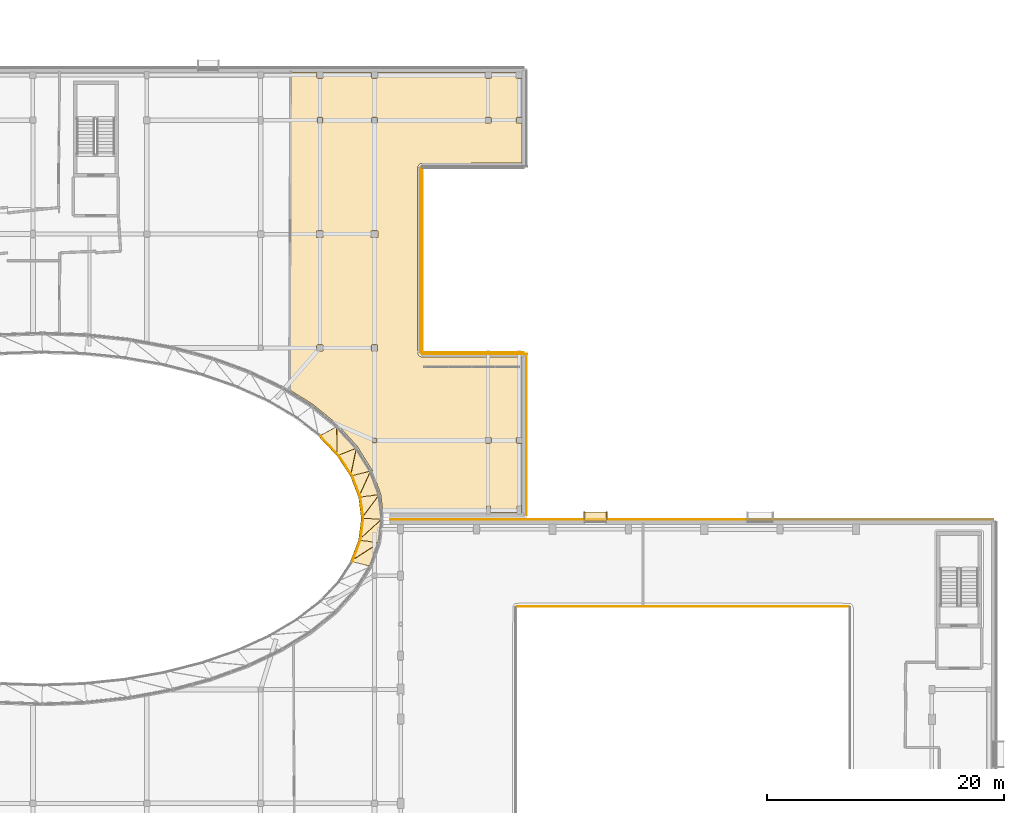
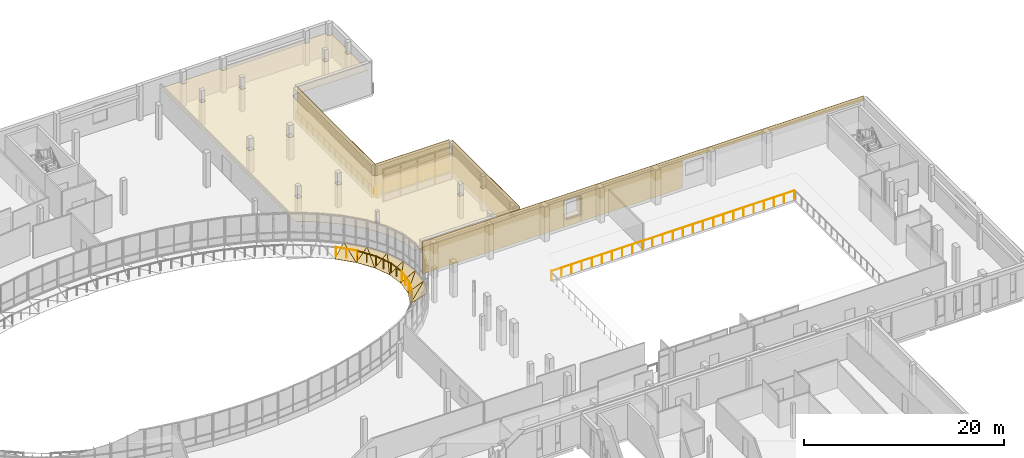
# One storey, part 79 of 84: 24 coverings, 9 railings.
"""IFC4 building model written with IfcOpenShell, lengths in metres."""

from ifc_helpers import new_model, si_unit, direction, frame, origin, origin_2d, place, context, subcontext, project, spatial, polyline, rectangle, circle, outline, extrude, material, layer, layer_set, type_object, element, save


model = new_model("IFC4")

# Units and contexts
model_context = context("Model", 3, precision=1e-05, world=origin(), true_north=direction((0.0, 1.0)))
body_context = subcontext(model_context, "Body", "Model", "MODEL_VIEW")
ifc_project = project(units=[si_unit("LENGTHUNIT", "METRE"), si_unit("AREAUNIT", "SQUARE_METRE"), si_unit("VOLUMEUNIT", "CUBIC_METRE"), si_unit("PLANEANGLEUNIT", "RADIAN"), si_unit("MASSUNIT", "GRAM", prefix="KILO")], contexts=[model_context])

# Site, building, storey
site_placement = place(None, origin())
site = spatial("IfcSite", under=ifc_project, at=site_placement, CompositionType="ELEMENT")
building_placement = place(site_placement, origin())
building = spatial("IfcBuilding", under=site, at=building_placement, Name="Mzevani Central Library", CompositionType="ELEMENT")
storey_placement = place(building_placement, frame((0.0, 0.0, 5.39990234375)))
storey = spatial("IfcBuildingStorey", under=building, at=storey_placement, Name="L01", CompositionType="ELEMENT", Elevation=5.39990234375)

# Railings
ifc_material_1 = material(Name="Brushed stainless steel rail", Category="steel")
railing_type_1 = type_object("IfcRailingType", Name="Interior Gallery and Stair Guard 1100", PredefinedType="BALUSTRADE", material=ifc_material_1)
railing_1_placement = place(storey_placement, frame((124.0, 68.60009765625, 0.0)))
element("IfcRailing", 1, at=railing_1_placement, inside=storey, type_object=railing_type_1, Name="L01 V1 Double-Height Void Guard 3", PredefinedType="BALUSTRADE", context=body_context, shape_type="SweptSolid", body=[
    extrude(circle(Radius=0.02392578125, at=origin_2d()), frame((0.0, 0.0, 1.076171875), z_axis=(1.0, 0.0, 0.0), x_axis=(0.0, 1.0, 0.0)), (0.0, 0.0, 1.0), 28.0),
    extrude(circle(Radius=0.02099609375, at=origin_2d()), origin(), (0.0, 0.0, 1.0), 1.052001953125),
    extrude(circle(Radius=0.02099609375, at=origin_2d()), frame((1.166748046875, 0.0, 0.0)), (0.0, 0.0, 1.0), 1.052001953125),
    extrude(circle(Radius=0.02099609375, at=origin_2d()), frame((2.333251953125, 0.0, 0.0)), (0.0, 0.0, 1.0), 1.052001953125),
    extrude(circle(Radius=0.02099609375, at=origin_2d()), frame((3.5, 0.0, 0.0)), (0.0, 0.0, 1.0), 1.052001953125),
    extrude(circle(Radius=0.02099609375, at=origin_2d()), frame((4.666748046875, 0.0, 0.0)), (0.0, 0.0, 1.0), 1.052001953125),
    extrude(circle(Radius=0.02099609375, at=origin_2d()), frame((5.833251953125, 0.0, 0.0)), (0.0, 0.0, 1.0), 1.052001953125),
    extrude(circle(Radius=0.02099609375, at=origin_2d()), frame((7.0, 0.0, 0.0)), (0.0, 0.0, 1.0), 1.052001953125),
    extrude(circle(Radius=0.02099609375, at=origin_2d()), frame((8.166748046875, 0.0, 0.0)), (0.0, 0.0, 1.0), 1.052001953125),
    extrude(circle(Radius=0.02099609375, at=origin_2d()), frame((9.333251953125, 0.0, 0.0)), (0.0, 0.0, 1.0), 1.052001953125),
    extrude(circle(Radius=0.02099609375, at=origin_2d()), frame((10.5, 0.0, 0.0)), (0.0, 0.0, 1.0), 1.052001953125),
    extrude(circle(Radius=0.02099609375, at=origin_2d()), frame((11.666748046875, 0.0, 0.0)), (0.0, 0.0, 1.0), 1.052001953125),
    extrude(circle(Radius=0.02099609375, at=origin_2d()), frame((12.833251953125, 0.0, 0.0)), (0.0, 0.0, 1.0), 1.052001953125),
    extrude(circle(Radius=0.02099609375, at=origin_2d()), frame((14.0, 0.0, 0.0)), (0.0, 0.0, 1.0), 1.052001953125),
    extrude(circle(Radius=0.02099609375, at=origin_2d()), frame((15.166748046875, 0.0, 0.0)), (0.0, 0.0, 1.0), 1.052001953125),
    extrude(circle(Radius=0.02099609375, at=origin_2d()), frame((16.333251953125, 0.0, 0.0)), (0.0, 0.0, 1.0), 1.052001953125),
    extrude(circle(Radius=0.02099609375, at=origin_2d()), frame((17.5, 0.0, 0.0)), (0.0, 0.0, 1.0), 1.052001953125),
    extrude(circle(Radius=0.02099609375, at=origin_2d()), frame((18.666748046875, 0.0, 0.0)), (0.0, 0.0, 1.0), 1.052001953125),
    extrude(circle(Radius=0.02099609375, at=origin_2d()), frame((19.833251953125, 0.0, 0.0)), (0.0, 0.0, 1.0), 1.052001953125),
    extrude(circle(Radius=0.02099609375, at=origin_2d()), frame((21.0, 0.0, 0.0)), (0.0, 0.0, 1.0), 1.052001953125),
    extrude(circle(Radius=0.02099609375, at=origin_2d()), frame((22.166748046875, 0.0, 0.0)), (0.0, 0.0, 1.0), 1.052001953125),
    extrude(circle(Radius=0.02099609375, at=origin_2d()), frame((23.333251953125, 0.0, 0.0)), (0.0, 0.0, 1.0), 1.052001953125),
    extrude(circle(Radius=0.02099609375, at=origin_2d()), frame((24.5, 0.0, 0.0)), (0.0, 0.0, 1.0), 1.052001953125),
    extrude(circle(Radius=0.02099609375, at=origin_2d()), frame((25.666748046875, 0.0, 0.0)), (0.0, 0.0, 1.0), 1.052001953125),
    extrude(circle(Radius=0.02099609375, at=origin_2d()), frame((26.833251953125, 0.0, 0.0)), (0.0, 0.0, 1.0), 1.052001953125),
    extrude(circle(Radius=0.02099609375, at=origin_2d()), frame((28.0, 0.0, 0.0)), (0.0, 0.0, 1.0), 1.052001953125),
])
railing_2_placement = place(storey_placement, frame((124.85009765625, 89.89990234375, 0.0)))
element("IfcRailing", 2, at=railing_2_placement, inside=storey, type_object=railing_type_1, Name="L01 V3 Double-Height Void Guard 9", PredefinedType="BALUSTRADE", context=body_context, shape_type="SweptSolid", body=[
    extrude(circle(Radius=0.02392578125, at=origin_2d()), frame((0.0, 0.0, 1.076171875), z_axis=(-1.0, 0.0, 0.0), x_axis=(0.0, -1.0, 0.0)), (0.0, 0.0, 1.0), 8.85009765625),
    extrude(circle(Radius=0.02099609375, at=origin_2d()), origin(), (0.0, 0.0, 1.0), 1.052001953125),
    extrude(circle(Radius=0.02099609375, at=origin_2d()), frame((-1.106201171875, 0.0, 0.0)), (0.0, 0.0, 1.0), 1.052001953125),
    extrude(circle(Radius=0.02099609375, at=origin_2d()), frame((-2.21240234375, 0.0, 0.0)), (0.0, 0.0, 1.0), 1.052001953125),
    extrude(circle(Radius=0.02099609375, at=origin_2d()), frame((-3.31884765625, 0.0, 0.0)), (0.0, 0.0, 1.0), 1.052001953125),
    extrude(circle(Radius=0.02099609375, at=origin_2d()), frame((-4.425048828125, 0.0, 0.0)), (0.0, 0.0, 1.0), 1.052001953125),
    extrude(circle(Radius=0.02099609375, at=origin_2d()), frame((-5.53125, 0.0, 0.0)), (0.0, 0.0, 1.0), 1.052001953125),
    extrude(circle(Radius=0.02099609375, at=origin_2d()), frame((-6.6376953125, 0.0, 0.0)), (0.0, 0.0, 1.0), 1.052001953125),
    extrude(circle(Radius=0.02099609375, at=origin_2d()), frame((-7.743896484375, 0.0, 0.0)), (0.0, 0.0, 1.0), 1.052001953125),
    extrude(circle(Radius=0.02099609375, at=origin_2d()), frame((-8.85009765625, 0.0, 0.0)), (0.0, 0.0, 1.0), 1.052001953125),
])
railing_3_placement = place(storey_placement, frame((115.89990234375, 90.0, 0.0)))
element("IfcRailing", 3, at=railing_3_placement, inside=storey, type_object=railing_type_1, Name="L01 V3 Double-Height Void Guard 10", PredefinedType="BALUSTRADE", context=body_context, shape_type="SweptSolid", body=[
    extrude(circle(Radius=0.02392578125, at=origin_2d()), frame((0.0, 0.0, 1.076171875), z_axis=(0.0, 1.0, 0.0), x_axis=(-1.0, 0.0, 0.0)), (0.0, 0.0, 1.0), 15.60009765625),
    extrude(circle(Radius=0.02099609375, at=origin_2d()), origin(), (0.0, 0.0, 1.0), 1.052001953125),
    extrude(circle(Radius=0.02099609375, at=origin_2d()), frame((0.0, 1.1142578125, 0.0)), (0.0, 0.0, 1.0), 1.052001953125),
    extrude(circle(Radius=0.02099609375, at=origin_2d()), frame((0.0, 2.228515625, 0.0)), (0.0, 0.0, 1.0), 1.052001953125),
    extrude(circle(Radius=0.02099609375, at=origin_2d()), frame((0.0, 3.3427734375, 0.0)), (0.0, 0.0, 1.0), 1.052001953125),
    extrude(circle(Radius=0.02099609375, at=origin_2d()), frame((0.0, 4.457275390625, 0.0)), (0.0, 0.0, 1.0), 1.052001953125),
    extrude(circle(Radius=0.02099609375, at=origin_2d()), frame((0.0, 5.571533203125, 0.0)), (0.0, 0.0, 1.0), 1.052001953125),
    extrude(circle(Radius=0.02099609375, at=origin_2d()), frame((0.0, 6.685791015625, 0.0)), (0.0, 0.0, 1.0), 1.052001953125),
    extrude(circle(Radius=0.02099609375, at=origin_2d()), frame((0.0, 7.800048828125, 0.0)), (0.0, 0.0, 1.0), 1.052001953125),
    extrude(circle(Radius=0.02099609375, at=origin_2d()), frame((0.0, 8.914306640625, 0.0)), (0.0, 0.0, 1.0), 1.052001953125),
    extrude(circle(Radius=0.02099609375, at=origin_2d()), frame((0.0, 10.028564453125, 0.0)), (0.0, 0.0, 1.0), 1.052001953125),
    extrude(circle(Radius=0.02099609375, at=origin_2d()), frame((0.0, 11.142822265625, 0.0)), (0.0, 0.0, 1.0), 1.052001953125),
    extrude(circle(Radius=0.02099609375, at=origin_2d()), frame((0.0, 12.25732421875, 0.0)), (0.0, 0.0, 1.0), 1.052001953125),
    extrude(circle(Radius=0.02099609375, at=origin_2d()), frame((0.0, 13.37158203125, 0.0)), (0.0, 0.0, 1.0), 1.052001953125),
    extrude(circle(Radius=0.02099609375, at=origin_2d()), frame((0.0, 14.48583984375, 0.0)), (0.0, 0.0, 1.0), 1.052001953125),
    extrude(circle(Radius=0.02099609375, at=origin_2d()), frame((0.0, 15.60009765625, 0.0)), (0.0, 0.0, 1.0), 1.052001953125),
])

# Coverings
ifc_material_2 = material(Name="Limestone ashlar cladding", Category="masonry")
ifc_layer_1 = layer(ifc_material_2, 0.050048828125, Name="Limestone Ashlar Spandrel Cladding")
ifc_layer_set_1 = layer_set([ifc_layer_1], Name="Limestone ashlar cladding")
covering_type_1 = type_object("IfcCoveringType", Name="Limestone Ashlar Spandrel Cladding", PredefinedType="CLADDING", material=ifc_layer_set_1)
covering_1_placement = place(storey_placement, frame((110.8798828125, 76.002685546875, -0.27978515625), z_axis=(-0.479321366855, -0.060945533308, 0.875520798866), x_axis=(-0.126134108825, 0.992013198799, 0.0)))
element("IfcCovering", 4, at=covering_1_placement, inside=storey, type_object=covering_type_1, Name="L01 Curved Court Spandrel Apron 1A", PredefinedType="CLADDING", context=body_context, shape_type="SweptSolid", body=[
    extrude(outline(polyline([(0.0, 0.0), (1.8174944827430237, 2.7755575615628914e-17), (1.8114215462804029, -1.9867545788335905), (0.0, 0.0)])), origin(), (0.0, 0.0, -1.0), 0.06005859375),
])
covering_2_placement = place(storey_placement, frame((110.8798828125, 76.002685546875, -0.27978515625), z_axis=(-0.482126035022, -0.058217888938, 0.87416540984), x_axis=(0.556826447425, 0.749972216125, 0.357051792445)))
element("IfcCovering", 5, at=covering_2_placement, inside=storey, type_object=covering_type_1, Name="L01 Curved Court Spandrel Apron 1B", PredefinedType="CLADDING", context=body_context, shape_type="SweptSolid", body=[
    extrude(outline(polyline([(0.0, 0.0), (2.6885761612506203, -3.885780586188048e-16), (1.3151072291984867, -1.4898340545956419), (0.0, 0.0)])), origin(), (0.0, 0.0, -1.0), 0.06005859375),
])
covering_3_placement = place(storey_placement, frame((110.650390625, 77.81103515625, -0.27978515625), z_axis=(-0.453427151964, -0.175048619427, 0.873934665005), x_axis=(-0.360150171798, 0.932894342224, 0.0)))
element("IfcCovering", 6, at=covering_3_placement, inside=storey, type_object=covering_type_1, Name="L01 Curved Court Spandrel Apron 2A", PredefinedType="CLADDING", context=body_context, shape_type="SweptSolid", body=[
    extrude(outline(polyline([(0.0, 0.0), (1.8994355266701755, 0.0), (1.6923635625645557, -1.9750518324060602), (0.0, 0.0)])), origin(), (0.0, 0.0, -1.0), 0.06005859375),
])
covering_4_placement = place(storey_placement, frame((110.650390625, 77.81103515625, -0.27978515625), z_axis=(-0.462288700821, -0.169469706475, 0.870384498759), x_axis=(0.384756977102, 0.846014792541, 0.369081345198)))
element("IfcCovering", 7, at=covering_4_placement, inside=storey, type_object=covering_type_1, Name="L01 Curved Court Spandrel Apron 2B", PredefinedType="CLADDING", context=body_context, shape_type="SweptSolid", body=[
    extrude(outline(polyline([(0.0, 0.0), (2.600946783113167, 1.6653345369377348e-16), (1.2070184775051918, -1.5786296924901242), (0.0, 0.0)])), origin(), (0.0, 0.0, -1.0), 0.06005859375),
])
covering_5_placement = place(storey_placement, frame((109.965576171875, 79.588623046875, -0.27978515625), z_axis=(-0.410744019286, -0.27048853439, 0.870703912582), x_axis=(-0.54998854207, 0.835172199963, 0.0)))
element("IfcCovering", 8, at=covering_5_placement, inside=storey, type_object=covering_type_1, Name="L01 Curved Court Spandrel Apron 3A", PredefinedType="CLADDING", context=body_context, shape_type="SweptSolid", body=[
    extrude(outline(polyline([(0.0, 0.0), (2.048604467528467, 0.0), (1.691203245150421, -1.951903498059484), (0.0, 0.0)])), origin(), (0.0, 0.0, -1.0), 0.06005859375),
])
covering_6_placement = place(storey_placement, frame((109.965576171875, 79.588623046875, -0.27978515625), z_axis=(-0.424503233969, -0.26553847261, 0.865613264636), x_axis=(0.189440022787, 0.908820548439, 0.371695693412)))
element("IfcCovering", 9, at=covering_6_placement, inside=storey, type_object=covering_type_1, Name="L01 Curved Court Spandrel Apron 3B", PredefinedType="CLADDING", context=body_context, shape_type="SweptSolid", body=[
    extrude(outline(polyline([(0.0, 0.0), (2.582652838099648, -5.551115123125783e-17), (1.0739817646629974, -1.6714669406430471), (0.0, 0.0)])), origin(), (0.0, 0.0, -1.0), 0.06005859375),
])
covering_7_placement = place(storey_placement, frame((108.83740234375, 81.305419921875, -0.27978515625), z_axis=(-0.359111767831, -0.343582902776, 0.867749691516), x_axis=(-0.691311626592, 0.722556734754, 0.0)))
element("IfcCovering", 10, at=covering_7_placement, inside=storey, type_object=covering_type_1, Name="L01 Curved Court Spandrel Apron 4A", PredefinedType="CLADDING", context=body_context, shape_type="SweptSolid", body=[
    extrude(outline(polyline([(0.0, 0.0), (2.2425385442927626, 0.0), (1.7938413211717867, -1.9315051820276437), (0.0, 0.0)])), origin(), (0.0, 0.0, -1.0), 0.06005859375),
])
covering_8_placement = place(storey_placement, frame((108.83740234375, 81.305419921875, -0.27978515625), z_axis=(-0.37566093081, -0.341371599291, 0.86159404377), x_axis=(-0.011021457115, 0.931266817581, 0.364171171231)))
element("IfcCovering", 11, at=covering_8_placement, inside=storey, type_object=covering_type_1, Name="L01 Curved Court Spandrel Apron 4B", PredefinedType="CLADDING", context=body_context, shape_type="SweptSolid", body=[
    extrude(outline(polyline([(0.0, 0.0), (2.63601573472978, 0.0), (0.9340781230626195, -1.7528037447083542), (0.0, 0.0)])), origin(), (0.0, 0.0, -1.0), 0.06005859375),
])
covering_9_placement = place(storey_placement, frame((109.96630859375, 72.4169921875, -0.27978515625), z_axis=(-0.460730012414, 0.177867938107, 0.869534848212), x_axis=(0.360150171798, 0.932894342224, 0.0)))
element("IfcCovering", 12, at=covering_9_placement, inside=storey, type_object=covering_type_1, Name="L01 Curved Court Spandrel Apron 47A", PredefinedType="CLADDING", context=body_context, shape_type="SweptSolid", body=[
    extrude(outline(polyline([(0.0, 0.0), (1.8994355266701755, 0.0), (2.3127353278121117, -1.9437460187551385), (0.0, 0.0)])), origin(), (0.0, 0.0, -1.0), 0.06005859375),
])
covering_10_placement = place(storey_placement, frame((109.96630859375, 72.4169921875, -0.27978515625), z_axis=(-0.455684662479, 0.167048742178, 0.874326144021), x_axis=(0.797619418282, 0.512674527819, 0.317754767242)))
element("IfcCovering", 13, at=covering_10_placement, inside=storey, type_object=covering_type_1, Name="L01 Curved Court Spandrel Apron 47B", PredefinedType="CLADDING", context=body_context, shape_type="SweptSolid", body=[
    extrude(outline(polyline([(0.0, 0.0), (3.0210748554010785, -2.220446049250313e-16), (1.429208875496848, -1.3787931422842696), (0.0, 0.0)])), origin(), (0.0, 0.0, -1.0), 0.06005859375),
])
covering_11_placement = place(storey_placement, frame((110.650634765625, 74.1943359375, -0.27978515625), z_axis=(-0.482030918713, 0.061290051817, 0.874007850624), x_axis=(0.126134108825, 0.992013198799, 0.0)))
element("IfcCovering", 14, at=covering_11_placement, inside=storey, type_object=covering_type_1, Name="L01 Curved Court Spandrel Apron 48A", PredefinedType="CLADDING", context=body_context, shape_type="SweptSolid", body=[
    extrude(outline(polyline([(0.0, 0.0), (1.8174944827430237, -2.7755575615628914e-17), (2.032364976595081, -1.9755868002684125), (0.0, 0.0)])), origin(), (0.0, 0.0, -1.0), 0.06005859375),
])
covering_12_placement = place(storey_placement, frame((110.650634765625, 74.1943359375, -0.27978515625), z_axis=(-0.47969504098, 0.057924340507, 0.875521238141), x_axis=(0.694779836152, 0.6344840408, 0.338690096175)))
element("IfcCovering", 15, at=covering_12_placement, inside=storey, type_object=covering_type_1, Name="L01 Curved Court Spandrel Apron 48B", PredefinedType="CLADDING", context=body_context, shape_type="SweptSolid", body=[
    extrude(outline(polyline([(0.0, 0.0), (2.8343342434309173, 3.3306690738754696e-16), (1.389154938459403, -1.4203799470660554), (0.0, 0.0)])), origin(), (0.0, 0.0, -1.0), 0.06005859375),
])
for number, where, z_axis, x_axis, name in (
    (16, (130.623779296875, 76.238037109375, 3.14990234375), (0.0, 0.0, 1.0), (1.0, 0.0, 0.0), "L01 Deep Window Reveal HD (REV4-0078)"),
    (17, (130.623779296875, 76.238037109375, 0.9599609375), (0.0, 0.0, 1.0), (1.0, 0.0, 0.0), "L01 Deep Window Reveal SL (REV4-0078)"),
):
    element("IfcCovering", number, at=place(storey_placement, frame(where, z_axis=z_axis, x_axis=x_axis)), inside=storey, type_object=covering_type_1, Name=name, PredefinedType="CLADDING", context=body_context, shape_type="SweptSolid", body=[
        extrude(rectangle(XDim=1.97998046875, YDim=0.679931640625, at=origin_2d()), origin(), (0.0, 0.0, 1.0), 0.090087890625),
    ])
for number, where, z_axis, x_axis, name in (
    (18, (129.678955078125, 76.238037109375, 1.050048828125), (0.0, 0.0, 1.0), (1.0, 0.0, 0.0), "L01 Deep Window Reveal JL (REV4-0078)"),
    (19, (131.56884765625, 76.238037109375, 1.050048828125), (0.0, 0.0, 1.0), (1.0, 0.0, 0.0), "L01 Deep Window Reveal JR (REV4-0078)"),
):
    element("IfcCovering", number, at=place(storey_placement, frame(where, z_axis=z_axis, x_axis=x_axis)), inside=storey, type_object=covering_type_1, Name=name, PredefinedType="CLADDING", context=body_context, shape_type="SweptSolid", body=[
        extrude(rectangle(XDim=0.090087890625, YDim=0.679931640625, at=origin_2d()), origin(), (0.0, 0.0, 1.0), 2.10009765625),
    ])
covering_13_placement = place(storey_placement, frame((138.76611328125, 75.924072265625, 3.35009765625), z_axis=(0.0, 0.0, 1.0), x_axis=(1.0, 0.0, 0.0)))
element("IfcCovering", 20, at=covering_13_placement, inside=storey, type_object=covering_type_1, Name="L01 Warm-White Facade Spandrel (EW4-V1-L01-0009)", PredefinedType="CLADDING", context=body_context, shape_type="SweptSolid", body=[
    extrude(rectangle(XDim=50.84814453125, YDim=0.050048828125, at=origin_2d()), origin(), (0.0, 0.0, 1.0), 0.590087890625),
])
covering_14_placement = place(storey_placement, frame((121.472900390625, 75.924072265625, 0.0), z_axis=(0.0, 0.0, 1.0), x_axis=(1.0, 0.0, 0.0)))
element("IfcCovering", 21, at=covering_14_placement, inside=storey, type_object=covering_type_1, Name="L01 Warm-White Facade Pier 1 (EW4-V1-L01-0009)", PredefinedType="CLADDING", context=body_context, shape_type="SweptSolid", body=[
    extrude(rectangle(XDim=16.261962890625, YDim=0.050048828125, at=origin_2d()), origin(), (0.0, 0.0, 1.0), 3.35009765625),
])
covering_15_placement = place(storey_placement, frame((130.623779296875, 75.924072265625, 0.0), z_axis=(0.0, 0.0, 1.0), x_axis=(1.0, 0.0, 0.0)))
element("IfcCovering", 22, at=covering_15_placement, inside=storey, type_object=covering_type_1, Name="L01 Warm-White Sill Cladding 2 (EW4-V1-L01-0009)", PredefinedType="CLADDING", context=body_context, shape_type="SweptSolid", body=[
    extrude(rectangle(XDim=2.0, YDim=0.050048828125, at=origin_2d()), origin(), (0.0, 0.0, 1.0), 0.949951171875),
])
covering_16_placement = place(storey_placement, frame((137.490966796875, 75.924072265625, 0.0), z_axis=(0.0, 0.0, 1.0), x_axis=(1.0, 0.0, 0.0)))
element("IfcCovering", 23, at=covering_16_placement, inside=storey, type_object=covering_type_1, Name="L01 Warm-White Facade Pier 3 (EW4-V1-L01-0009)", PredefinedType="CLADDING", context=body_context, shape_type="SweptSolid", body=[
    extrude(rectangle(XDim=11.694091796875, YDim=0.050048828125, at=origin_2d()), origin(), (0.0, 0.0, 1.0), 3.35009765625),
])
covering_17_placement = place(storey_placement, frame((116.02392578125, 97.800048828125, 0.000244140625), z_axis=(0.0, 0.0, 1.0), x_axis=(0.0, -1.0, 0.0)))
element("IfcCovering", 24, at=covering_17_placement, inside=storey, type_object=covering_type_1, Name="L01 Warm-White Facade Cladding (EW4-V3-L01-0048)", PredefinedType="CLADDING", context=body_context, shape_type="SweptSolid", body=[
    extrude(rectangle(XDim=15.56005859375, YDim=0.050048828125, at=origin_2d()), origin(), (0.0, 0.0, 1.0), 3.919921875),
])
covering_18_placement = place(storey_placement, frame((120.304931640625, 90.02392578125, 0.000244140625), z_axis=(0.0, 0.0, 1.0), x_axis=(1.0, 0.0, 0.0)))
element("IfcCovering", 25, at=covering_18_placement, inside=storey, type_object=covering_type_1, Name="L01 Warm-White Facade Cladding (EW4-V3-L01-0049)", PredefinedType="CLADDING", context=body_context, shape_type="SweptSolid", body=[
    extrude(rectangle(XDim=8.570068359375, YDim=0.050048828125, at=origin_2d()), origin(), (0.0, 0.0, 1.0), 3.919921875),
])
covering_19_placement = place(storey_placement, frame((124.823974609375, 83.050048828125, 0.000244140625), z_axis=(0.0, 0.0, 1.0), x_axis=(0.0, -1.0, 0.0)))
element("IfcCovering", 26, at=covering_19_placement, inside=storey, type_object=covering_type_1, Name="L01 Warm-White Facade Cladding (EW4-V3-L01-0050)", PredefinedType="CLADDING", context=body_context, shape_type="SweptSolid", body=[
    extrude(rectangle(XDim=13.47998046875, YDim=0.050048828125, at=origin_2d()), origin(), (0.0, 0.0, 1.0), 3.919921875),
])
ifc_material_3 = material(Name="Mineral wool acoustic ceiling")
ifc_layer_2 = layer(ifc_material_3, 0.0400390625, Name="Perforated Timber Acoustic Ceiling")
ifc_layer_set_2 = layer_set([ifc_layer_2], Name="Mineral wool acoustic ceiling")
covering_type_2 = type_object("IfcCoveringType", Name="Perforated Timber Acoustic Ceiling", PredefinedType="CEILING", material=ifc_layer_set_2)
covering_20_placement = place(storey_placement, frame((0.0, 0.0, 2.72998046875)))
element("IfcCovering", 27, at=covering_20_placement, inside=storey, type_object=covering_type_2, Name="L01 Terraced Court Reading Balcony 3 Acoustic Ceiling", PredefinedType="CEILING", context=body_context, shape_type="SweptSolid", body=[
    extrude(outline(polyline([(124.42822265625, 76.474365234375), (124.375, 76.469970703125), (124.375, 77.050048828125), (124.02490234375, 77.050048828125), (124.02490234375, 76.469970703125), (121.77490234375, 76.469970703125), (121.77490234375, 77.050048828125), (121.425048828125, 77.050048828125), (121.425048828125, 76.469970703125), (112.72021484375, 76.47119140625), (112.5166015625, 78.09814453125), (111.780029296875, 80.115478515625), (110.533203125, 82.121337890625), (108.827880859375, 83.993896484375), (106.764892578125, 85.669189453125), (104.92626953125, 86.812255859375), (104.930419921875, 113.62890625), (107.14990234375, 113.6298828125), (107.14990234375, 113.14990234375), (107.64990234375, 113.14990234375), (107.64990234375, 113.6298828125), (111.75, 113.6298828125), (111.75, 113.14990234375), (112.25, 113.14990234375), (112.25, 113.6298828125), (121.35009765625, 113.6298828125), (121.35009765625, 113.14990234375), (121.85009765625, 113.14990234375), (121.85009765625, 113.6298828125), (123.949951171875, 113.6298828125), (123.949951171875, 113.14990234375), (124.429931640625, 113.14990234375), (124.42626953125, 105.972412109375), (115.965087890625, 105.96826171875), (115.739013671875, 105.861328125), (115.6298828125, 105.597900390625), (115.646484375, 89.892578125), (115.765380859375, 89.714599609375), (116.001708984375, 89.6298828125), (124.42822265625, 89.62548828125), (124.42822265625, 76.474365234375)]), holes=[polyline([(107.64990234375, 90.64990234375), (107.14990234375, 90.64990234375), (107.14990234375, 90.14990234375), (107.64990234375, 90.14990234375), (107.64990234375, 90.64990234375)]), polyline([(107.675048828125, 99.72509765625), (107.675048828125, 100.27490234375), (107.125, 100.27490234375), (107.125, 99.72509765625), (107.675048828125, 99.72509765625)]), polyline([(107.175048828125, 109.375), (107.625, 109.375), (107.625, 109.824951171875), (107.175048828125, 109.824951171875), (107.175048828125, 109.375)]), polyline([(112.175048828125, 82.77490234375), (111.824951171875, 82.77490234375), (111.824951171875, 82.425048828125), (112.175048828125, 82.425048828125), (112.175048828125, 82.77490234375)]), polyline([(112.25, 90.14990234375), (112.25, 90.64990234375), (111.75, 90.64990234375), (111.75, 90.14990234375), (112.25, 90.14990234375)]), polyline([(111.72509765625, 99.72509765625), (112.27490234375, 99.72509765625), (112.27490234375, 100.27490234375), (111.72509765625, 100.27490234375), (111.72509765625, 99.72509765625)]), polyline([(111.77490234375, 109.824951171875), (111.77490234375, 109.375), (112.22509765625, 109.375), (112.22509765625, 109.824951171875), (111.77490234375, 109.824951171875)]), polyline([(121.375, 82.375), (121.824951171875, 82.375), (121.824951171875, 82.824951171875), (121.375, 82.824951171875), (121.375, 82.375)]), polyline([(121.375, 109.824951171875), (121.375, 109.375), (121.824951171875, 109.375), (121.824951171875, 109.824951171875), (121.375, 109.824951171875)]), polyline([(123.97509765625, 82.375), (124.425048828125, 82.375), (124.425048828125, 82.824951171875), (123.97509765625, 82.824951171875), (123.97509765625, 82.375)]), polyline([(123.97509765625, 109.824951171875), (123.97509765625, 109.375), (124.425048828125, 109.375), (124.425048828125, 109.824951171875), (123.97509765625, 109.824951171875)])]), origin(), (0.0, 0.0, 1.0), 0.0400390625),
])

# Railings
ifc_material_4 = material(Name="Anodized architectural bronze")
railing_type_2 = type_object("IfcRailingType", Name="Terrace and Court Balustrade 1100", PredefinedType="BALUSTRADE", material=ifc_material_4)
railing_4_placement = place(storey_placement, frame((111.039794921875, 76.008056640625, 0.0)))
element("IfcRailing", 28, at=railing_4_placement, inside=storey, type_object=railing_type_2, Name="L01 Elliptical Court Terrace Guard 1", PredefinedType="BALUSTRADE", context=body_context, shape_type="SweptSolid", body=[
    extrude(circle(Radius=0.02392578125, at=origin_2d()), frame((0.0, 0.0, 1.076171875), z_axis=(-0.126134108825, 0.992013198799, 0.0), x_axis=(-0.992013198799, -0.126134108825, 0.0)), (0.0, 0.0, 1.0), 1.8173828125),
    extrude(circle(Radius=0.02099609375, at=origin_2d()), origin(), (0.0, 0.0, 1.0), 1.052001953125),
    extrude(circle(Radius=0.02099609375, at=origin_2d()), frame((-0.11474609375, 0.9013671875, 0.0)), (0.0, 0.0, 1.0), 1.052001953125),
    extrude(circle(Radius=0.02099609375, at=origin_2d()), frame((-0.229248046875, 1.802978515625, 0.0)), (0.0, 0.0, 1.0), 1.052001953125),
])
railing_5_placement = place(storey_placement, frame((110.8095703125, 77.827392578125, 0.0)))
element("IfcRailing", 29, at=railing_5_placement, inside=storey, type_object=railing_type_2, Name="L01 Elliptical Court Terrace Guard 2", PredefinedType="BALUSTRADE", context=body_context, shape_type="SweptSolid", body=[
    extrude(circle(Radius=0.02392578125, at=origin_2d()), frame((0.0, 0.0, 1.076171875), z_axis=(-0.360150171798, 0.932894342224, 0.0), x_axis=(-0.932894342224, -0.360150171798, 0.0)), (0.0, 0.0, 1.0), 1.8994140625),
    extrude(circle(Radius=0.02099609375, at=origin_2d()), origin(), (0.0, 0.0, 1.0), 1.052001953125),
    extrude(circle(Radius=0.02099609375, at=origin_2d()), frame((-0.342041015625, 0.885986328125, 0.0)), (0.0, 0.0, 1.0), 1.052001953125),
    extrude(circle(Radius=0.02099609375, at=origin_2d()), frame((-0.68408203125, 1.77197265625, 0.0)), (0.0, 0.0, 1.0), 1.052001953125),
])
railing_6_placement = place(storey_placement, frame((110.123291015625, 79.6162109375, 0.0)))
element("IfcRailing", 30, at=railing_6_placement, inside=storey, type_object=railing_type_2, Name="L01 Elliptical Court Terrace Guard 3", PredefinedType="BALUSTRADE", context=body_context, shape_type="SweptSolid", body=[
    extrude(circle(Radius=0.02392578125, at=origin_2d()), frame((0.0, 0.0, 1.076171875), z_axis=(-0.550071659346, 0.835117458556, 0.0), x_axis=(-0.835117458556, -0.550071659346, 0.0)), (0.0, 0.0, 1.0), 2.048828125),
    extrude(circle(Radius=0.02099609375, at=origin_2d()), origin(), (0.0, 0.0, 1.0), 1.052001953125),
    extrude(circle(Radius=0.02099609375, at=origin_2d()), frame((-0.5634765625, 0.85546875, 0.0)), (0.0, 0.0, 1.0), 1.052001953125),
    extrude(circle(Radius=0.02099609375, at=origin_2d()), frame((-1.126953125, 1.7109375, 0.0)), (0.0, 0.0, 1.0), 1.052001953125),
])
railing_7_placement = place(storey_placement, frame((108.99267578125, 81.344970703125, 0.0)))
element("IfcRailing", 31, at=railing_7_placement, inside=storey, type_object=railing_type_2, Name="L01 Elliptical Court Terrace Guard 4", PredefinedType="BALUSTRADE", context=body_context, shape_type="SweptSolid", body=[
    extrude(circle(Radius=0.02392578125, at=origin_2d()), frame((0.0, 0.0, 1.076171875), z_axis=(-0.691368458863, 0.722502355767, 0.0), x_axis=(-0.722502355767, -0.691368458863, 0.0)), (0.0, 0.0, 1.0), 2.24267578125),
    extrude(circle(Radius=0.02099609375, at=origin_2d()), origin(), (0.0, 0.0, 1.0), 1.052001953125),
    extrude(circle(Radius=0.02099609375, at=origin_2d()), frame((-0.775390625, 0.81005859375, 0.0)), (0.0, 0.0, 1.0), 1.052001953125),
    extrude(circle(Radius=0.02099609375, at=origin_2d()), frame((-1.550537109375, 1.620361328125, 0.0)), (0.0, 0.0, 1.0), 1.052001953125),
])
railing_8_placement = place(storey_placement, frame((110.12548828125, 72.400634765625, 0.0)))
element("IfcRailing", 32, at=railing_8_placement, inside=storey, type_object=railing_type_2, Name="L01 Elliptical Court Terrace Guard 47", PredefinedType="BALUSTRADE", context=body_context, shape_type="SweptSolid", body=[
    extrude(circle(Radius=0.02392578125, at=origin_2d()), frame((0.0, 0.0, 1.076171875), z_axis=(0.360150171798, 0.932894342224, 0.0), x_axis=(-0.932894342224, 0.360150171798, 0.0)), (0.0, 0.0, 1.0), 1.8994140625),
    extrude(circle(Radius=0.02099609375, at=origin_2d()), origin(), (0.0, 0.0, 1.0), 1.052001953125),
    extrude(circle(Radius=0.02099609375, at=origin_2d()), frame((0.342041015625, 0.885986328125, 0.0)), (0.0, 0.0, 1.0), 1.052001953125),
    extrude(circle(Radius=0.02099609375, at=origin_2d()), frame((0.68408203125, 1.77197265625, 0.0)), (0.0, 0.0, 1.0), 1.052001953125),
])
railing_9_placement = place(storey_placement, frame((110.810546875, 74.18896484375, 0.0)))
element("IfcRailing", 33, at=railing_9_placement, inside=storey, type_object=railing_type_2, Name="L01 Elliptical Court Terrace Guard 48", PredefinedType="BALUSTRADE", context=body_context, shape_type="SweptSolid", body=[
    extrude(circle(Radius=0.02392578125, at=origin_2d()), frame((0.0, 0.0, 1.076171875), z_axis=(0.126134108825, 0.992013198799, 0.0), x_axis=(-0.992013198799, 0.126134108825, 0.0)), (0.0, 0.0, 1.0), 1.8173828125),
    extrude(circle(Radius=0.02099609375, at=origin_2d()), origin(), (0.0, 0.0, 1.0), 1.052001953125),
    extrude(circle(Radius=0.02099609375, at=origin_2d()), frame((0.11474609375, 0.9013671875, 0.0)), (0.0, 0.0, 1.0), 1.052001953125),
    extrude(circle(Radius=0.02099609375, at=origin_2d()), frame((0.229248046875, 1.802978515625, 0.0)), (0.0, 0.0, 1.0), 1.052001953125),
])

save(model, "model.ifc")
